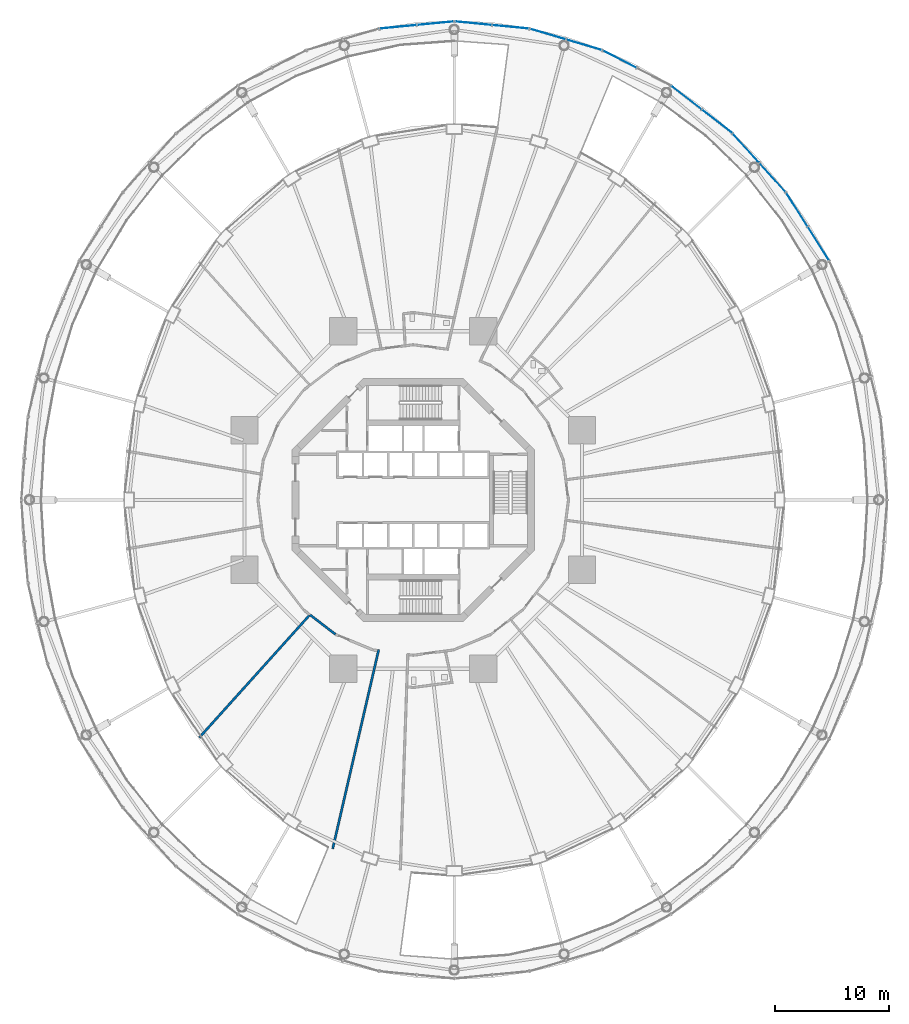
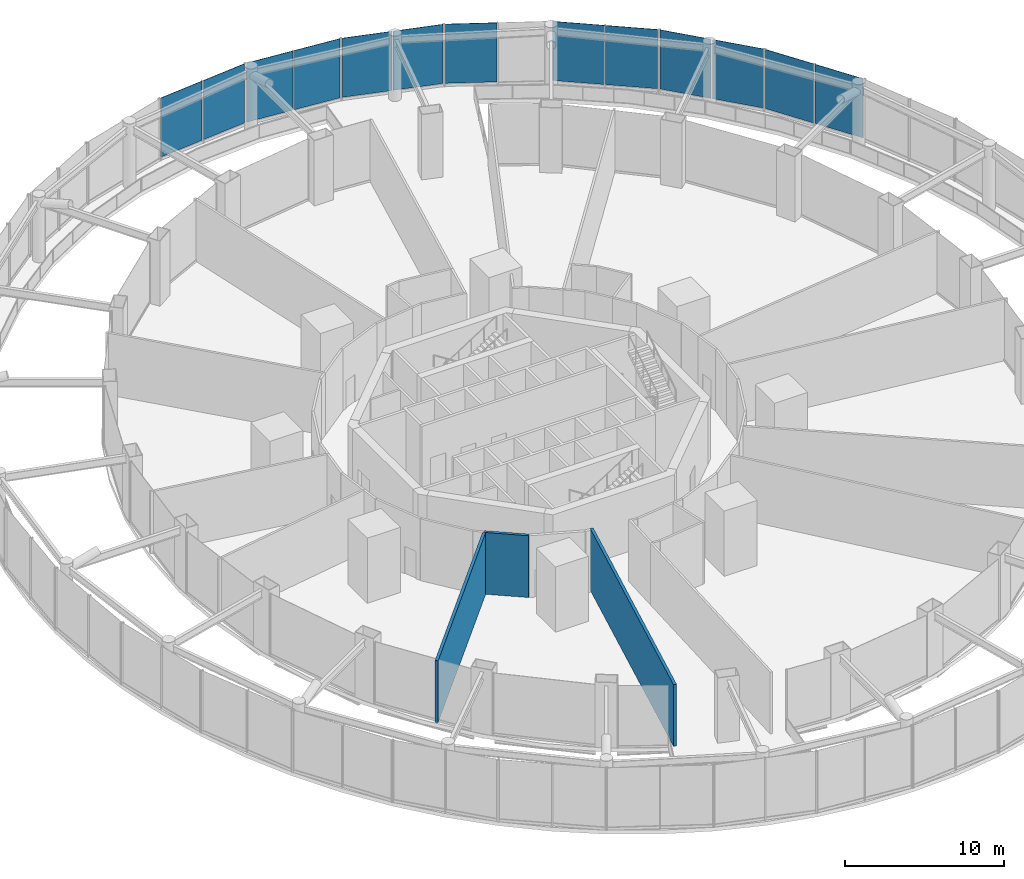
# One storey, part 43 of 52: 13 plates, 3 walls, 7 elements without a shape of their own.
"""IFC4 building model written with IfcOpenShell, lengths in metres."""

from ifc_helpers import new_model, si_unit, direction, frame, frame_2d, origin, origin_2d, place, context, subcontext, project, spatial, rectangle, extrude, material, layer, layer_set, type_object, element, aggregate, save


model = new_model("IFC4")

# Units and contexts
model_context = context("Model", 3, precision=1e-05, world=origin(), true_north=direction((0.0, 1.0)))
body_context = subcontext(model_context, "Body", "Model", "MODEL_VIEW")
ifc_project = project(units=[si_unit("LENGTHUNIT", "METRE"), si_unit("AREAUNIT", "SQUARE_METRE"), si_unit("VOLUMEUNIT", "CUBIC_METRE"), si_unit("PLANEANGLEUNIT", "RADIAN"), si_unit("MASSUNIT", "GRAM", prefix="KILO")], contexts=[model_context])

# Site, building, storey
site_placement = place(None, origin())
site = spatial("IfcSite", under=ifc_project, at=site_placement, CompositionType="ELEMENT")
building_placement = place(site_placement, origin())
building = spatial("IfcBuilding", under=site, at=building_placement, Name="Nagisa Residences", CompositionType="ELEMENT")
storey_placement = place(building_placement, frame((0.0, 0.0, 22.0)))
storey = spatial("IfcBuildingStorey", under=building, at=storey_placement, Name="L04", CompositionType="ELEMENT", Elevation=22.0)

# Curtain wall, plates
ifc_material_1 = material(Name="Stainless steel curtain wall system", Category="steel")
ifc_layer_1 = layer(ifc_material_1, 0.159912109375)
ifc_layer_set_1 = layer_set([ifc_layer_1], Name="CW3 CURTAIN WALL")
curtain_wall_type = type_object("IfcCurtainWallType", Name="CW3 CURTAIN WALL", PredefinedType="NOTDEFINED", material=ifc_layer_set_1)
curtain_wall_1_placement = place(storey_placement, origin())
curtain_wall_1 = element("IfcCurtainWall", 1, at=curtain_wall_1_placement, inside=storey, type_object=curtain_wall_type, Name="cw:CW3:L04:03", PredefinedType="NOTDEFINED")
ifc_material_2 = material(Name="Low-iron laminated glass", Category="glass")
ifc_layer_2 = layer(ifc_material_2, 0.028076171875)
ifc_layer_set_2 = layer_set([ifc_layer_2], Name="CW3 GLASS PANEL")
plate_type = type_object("IfcPlateType", Name="CW3 GLASS PANEL", PredefinedType="CURTAIN_PANEL", material=ifc_layer_set_2)
plate_1_placement = place(storey_placement, frame((35.48095703125, 22.473388671875, 0.199951171875), z_axis=(0.0, 0.0, 1.0), x_axis=(-0.535165286856, 0.844747368001, 0.0)))
plate_1 = element("IfcPlate", 2, at=plate_1_placement, type_object=plate_type, Name="CW3 panel", PredefinedType="CURTAIN_PANEL", context=body_context, shape_type="SweptSolid", body=[
    extrude(rectangle(XDim=3.4296875, YDim=0.028076171875, at=origin_2d()), origin(), (0.0, 0.0, 1.0), 4.5400390625),
])
plate_2_placement = place(storey_placement, frame((33.6025390625, 25.43798828125, 0.199951171875), z_axis=(0.0, 0.0, 1.0), x_axis=(-0.535165286856, 0.844747368001, 0.0)))
plate_2 = element("IfcPlate", 3, at=plate_2_placement, type_object=plate_type, Name="CW3 panel", PredefinedType="CURTAIN_PANEL", context=body_context, shape_type="SweptSolid", body=[
    extrude(rectangle(XDim=3.4296875, YDim=0.028076171875, at=origin_2d()), origin(), (0.0, 0.0, 1.0), 4.5400390625),
])
aggregate(curtain_wall_1, [plate_1, plate_2])

curtain_wall_2_placement = place(storey_placement, origin())
curtain_wall_2 = element("IfcCurtainWall", 4, at=curtain_wall_2_placement, inside=storey, type_object=curtain_wall_type, Name="cw:CW3:L04:04", PredefinedType="NOTDEFINED")
plate_3_placement = place(storey_placement, frame((31.466064453125, 28.25244140625, 0.199951171875), z_axis=(0.0, 0.0, 1.0), x_axis=(-0.670913323971, 0.741535779122, 0.0)))
plate_3 = element("IfcPlate", 5, at=plate_3_placement, type_object=plate_type, Name="CW3 panel", PredefinedType="CURTAIN_PANEL", context=body_context, shape_type="SweptSolid", body=[
    extrude(rectangle(XDim=3.37060546875, YDim=0.028076171875, at=origin_2d()), origin(), (0.0, 0.0, 1.0), 4.5400390625),
])
plate_4_placement = place(storey_placement, frame((29.15087890625, 30.811279296875, 0.199951171875), z_axis=(0.0, 0.0, 1.0), x_axis=(-0.670913323971, 0.741535779122, 0.0)))
plate_4 = element("IfcPlate", 6, at=plate_4_placement, type_object=plate_type, Name="CW3 panel", PredefinedType="CURTAIN_PANEL", context=body_context, shape_type="SweptSolid", body=[
    extrude(rectangle(XDim=3.37060546875, YDim=0.028076171875, at=origin_2d()), origin(), (0.0, 0.0, 1.0), 4.5400390625),
])
aggregate(curtain_wall_2, [plate_3, plate_4])

curtain_wall_3_placement = place(storey_placement, origin())
curtain_wall_3 = element("IfcCurtainWall", 7, at=curtain_wall_3_placement, inside=storey, type_object=curtain_wall_type, Name="cw:CW3:L04:05", PredefinedType="NOTDEFINED")
plate_5_placement = place(storey_placement, frame((26.604736328125, 33.172607421875, 0.199951171875), z_axis=(0.0, 0.0, 1.0), x_axis=(-0.790830864353, 0.612034757172, 0.0)))
plate_5 = element("IfcPlate", 8, at=plate_5_placement, type_object=plate_type, Name="CW3 panel", PredefinedType="CURTAIN_PANEL", context=body_context, shape_type="SweptSolid", body=[
    extrude(rectangle(XDim=3.310546875, YDim=0.028076171875, at=origin_2d()), origin(), (0.0, 0.0, 1.0), 4.5400390625),
])
plate_6_placement = place(storey_placement, frame((23.92333984375, 35.247802734375, 0.199951171875), z_axis=(0.0, 0.0, 1.0), x_axis=(-0.790830864353, 0.612034757172, 0.0)))
plate_6 = element("IfcPlate", 9, at=plate_6_placement, type_object=plate_type, Name="CW3 panel", PredefinedType="CURTAIN_PANEL", context=body_context, shape_type="SweptSolid", body=[
    extrude(rectangle(XDim=3.310546875, YDim=0.028076171875, at=origin_2d()), origin(), (0.0, 0.0, 1.0), 4.5400390625),
])
aggregate(curtain_wall_3, [plate_5, plate_6])

# Curtain wall, plate
curtain_wall_4_placement = place(storey_placement, origin())
curtain_wall_4 = element("IfcCurtainWall", 10, at=curtain_wall_4_placement, inside=storey, type_object=curtain_wall_type, Name="cw:CW3:L04:06", PredefinedType="NOTDEFINED")
plate_7_placement = place(storey_placement, frame((18.07861328125, 38.61328125, 0.199951171875), z_axis=(0.0, 0.0, 1.0), x_axis=(-0.888887270285, 0.45812598783, 0.0)))
plate_7 = element("IfcPlate", 11, at=plate_7_placement, type_object=plate_type, Name="CW3 panel", PredefinedType="CURTAIN_PANEL", context=body_context, shape_type="SweptSolid", body=[
    extrude(rectangle(XDim=3.2568359375, YDim=0.028076171875, at=origin_2d()), origin(), (0.0, 0.0, 1.0), 4.5400390625),
])
aggregate(curtain_wall_4, [plate_7])

# Curtain wall, plates
curtain_wall_5_placement = place(storey_placement, origin())
curtain_wall_5 = element("IfcCurtainWall", 12, at=curtain_wall_5_placement, inside=storey, type_object=curtain_wall_type, Name="cw:CW3:L04:07", PredefinedType="NOTDEFINED")
plate_8_placement = place(storey_placement, frame((14.955322265625, 39.869873046875, 0.199951171875), z_axis=(0.0, 0.0, 1.0), x_axis=(-0.958835171393, 0.283963226669, 0.0)))
plate_8 = element("IfcPlate", 13, at=plate_8_placement, type_object=plate_type, Name="CW3 panel", PredefinedType="CURTAIN_PANEL", context=body_context, shape_type="SweptSolid", body=[
    extrude(rectangle(XDim=3.21630859375, YDim=0.028076171875, at=origin_2d()), origin(), (0.0, 0.0, 1.0), 4.5400390625),
])
plate_9_placement = place(storey_placement, frame((11.794677734375, 40.805908203125, 0.199951171875), z_axis=(0.0, 0.0, 1.0), x_axis=(-0.958835171393, 0.283963226669, 0.0)))
plate_9 = element("IfcPlate", 14, at=plate_9_placement, type_object=plate_type, Name="CW3 panel", PredefinedType="CURTAIN_PANEL", context=body_context, shape_type="SweptSolid", body=[
    extrude(rectangle(XDim=3.21630859375, YDim=0.028076171875, at=origin_2d()), origin(), (0.0, 0.0, 1.0), 4.5400390625),
])
aggregate(curtain_wall_5, [plate_8, plate_9])

curtain_wall_6_placement = place(storey_placement, origin())
curtain_wall_6 = element("IfcCurtainWall", 15, at=curtain_wall_6_placement, inside=storey, type_object=curtain_wall_type, Name="cw:CW3:L04:08", PredefinedType="NOTDEFINED")
plate_10_placement = place(storey_placement, frame((8.521484375, 41.44384765625, 0.199951171875), z_axis=(0.0, 0.0, 1.0), x_axis=(-0.995357282289, 0.096249055035, 0.0)))
plate_10 = element("IfcPlate", 16, at=plate_10_placement, type_object=plate_type, Name="CW3 panel", PredefinedType="CURTAIN_PANEL", context=body_context, shape_type="SweptSolid", body=[
    extrude(rectangle(XDim=3.19482421875, YDim=0.028076171875, at=origin_2d()), origin(), (0.0, 0.0, 1.0), 4.5400390625),
])
plate_11_placement = place(storey_placement, frame((5.261962890625, 41.759033203125, 0.199951171875), z_axis=(0.0, 0.0, 1.0), x_axis=(-0.995357282289, 0.096249055035, 0.0)))
plate_11 = element("IfcPlate", 17, at=plate_11_placement, type_object=plate_type, Name="CW3 panel", PredefinedType="CURTAIN_PANEL", context=body_context, shape_type="SweptSolid", body=[
    extrude(rectangle(XDim=3.19482421875, YDim=0.028076171875, at=origin_2d()), origin(), (0.0, 0.0, 1.0), 4.5400390625),
])
aggregate(curtain_wall_6, [plate_10, plate_11])

curtain_wall_7_placement = place(storey_placement, origin())
curtain_wall_7 = element("IfcCurtainWall", 18, at=curtain_wall_7_placement, inside=storey, type_object=curtain_wall_type, Name="cw:CW3:L04:09", PredefinedType="NOTDEFINED")
plate_12_placement = place(storey_placement, frame((1.938232421875, 41.759033203125, 0.199951171875), z_axis=(0.0, 0.0, 1.0), x_axis=(-0.995357282289, -0.096249055035, 0.0)))
plate_12 = element("IfcPlate", 19, at=plate_12_placement, type_object=plate_type, Name="CW3 panel", PredefinedType="CURTAIN_PANEL", context=body_context, shape_type="SweptSolid", body=[
    extrude(rectangle(XDim=3.19482421875, YDim=0.028076171875, at=origin_2d()), origin(), (0.0, 0.0, 1.0), 4.5400390625),
])
plate_13_placement = place(storey_placement, frame((-1.3212890625, 41.44384765625, 0.199951171875), z_axis=(0.0, 0.0, 1.0), x_axis=(-0.995357282289, -0.096249055035, 0.0)))
plate_13 = element("IfcPlate", 20, at=plate_13_placement, type_object=plate_type, Name="CW3 panel", PredefinedType="CURTAIN_PANEL", context=body_context, shape_type="SweptSolid", body=[
    extrude(rectangle(XDim=3.19482421875, YDim=0.028076171875, at=origin_2d()), origin(), (0.0, 0.0, 1.0), 4.5400390625),
])
aggregate(curtain_wall_7, [plate_12, plate_13])

# Walls
ifc_material_3 = material(Name="Gypsum board on steel studs", Category="steel")
ifc_layer_3 = layer(ifc_material_3, 0.199951171875)
ifc_layer_set_3 = layer_set([ifc_layer_3], Name="Plant room wall EI120 200")
wall_type = type_object("IfcWallType", Name="Plant room wall EI120 200", PredefinedType="PARTITIONING", material=ifc_layer_set_3)
wall_1_placement = place(storey_placement, frame((-9.117431640625, -10.125732421875, 0.0), z_axis=(0.0, 0.0, 1.0), x_axis=(-0.669127133422, -0.743147952509, 0.0)))
element("IfcWall", 21, at=wall_1_placement, inside=storey, type_object=wall_type, Name="wall:L04:am059", PredefinedType="PARTITIONING", context=body_context, shape_type="SweptSolid", body=[
    extrude(rectangle(XDim=14.3671875, YDim=0.199951171875, at=frame_2d((7.18359375, 0.0))), origin(), (0.0, 0.0, 1.0), 4.739990234375),
])
wall_2_placement = place(storey_placement, frame((-7.053466796875, -30.552490234375, 0.0), z_axis=(0.0, 0.0, 1.0), x_axis=(0.224939147882, 0.974372813532, 0.0)))
element("IfcWall", 22, at=wall_2_placement, inside=storey, type_object=wall_type, Name="wall:L04:am060", PredefinedType="PARTITIONING", context=body_context, shape_type="SweptSolid", body=[
    extrude(rectangle(XDim=17.91064453125, YDim=0.199951171875, at=frame_2d((8.955322265625, 0.0))), origin(), (0.0, 0.0, 1.0), 4.739990234375),
])
wall_3_placement = place(storey_placement, frame((-6.81201171875, -11.7685546875, 0.0), z_axis=(0.0, 0.0, 1.0), x_axis=(-0.793389024662, 0.608714921409, 0.0)))
element("IfcWall", 23, at=wall_3_placement, inside=storey, type_object=wall_type, Name="wall:L04:am061", PredefinedType="PARTITIONING", context=body_context, shape_type="SweptSolid", body=[
    extrude(rectangle(XDim=2.821044921875, YDim=0.199951171875, at=frame_2d((1.41064453125, 0.0))), origin(), (0.0, 0.0, 1.0), 4.739990234375),
])

save(model, "model.ifc")
